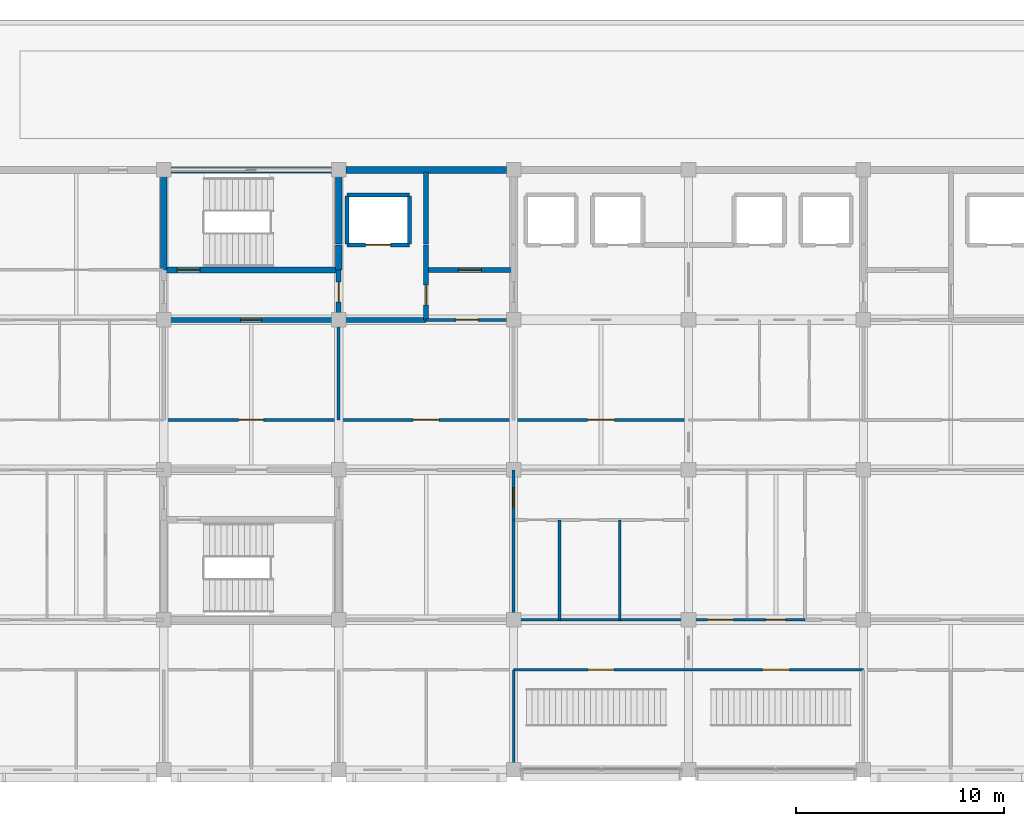
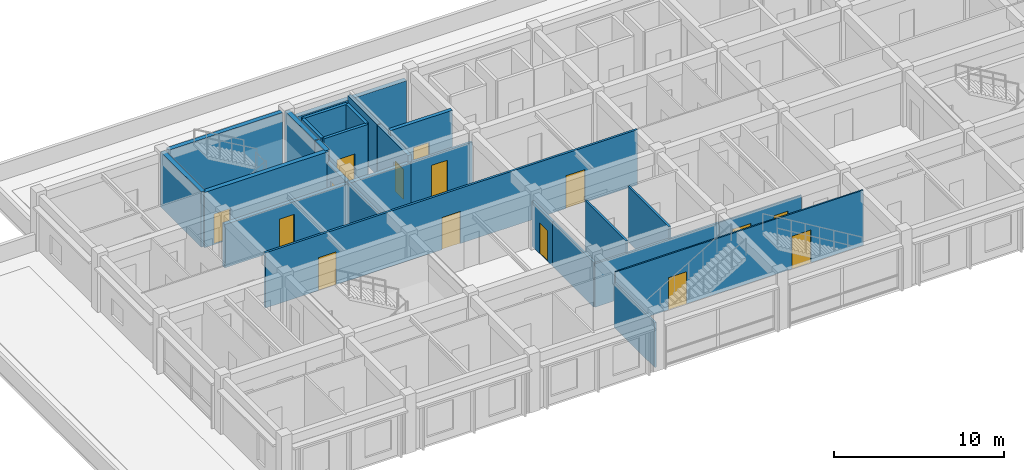
# One storey, part 11 of 19: 26 walls, 15 doors, 15 openings.
"""IFC4 building model written with IfcOpenShell, lengths in metres."""

from ifc_helpers import new_model, si_unit, direction, frame, frame_2d, origin, place, context, subcontext, project, spatial, rectangle, extrude, material, layer, layer_set, type_object, element, fill, save


model = new_model("IFC4")

# Units and contexts
model_context = context("Model", 3, precision=1e-05, world=origin(), true_north=direction((0.0, 1.0)))
body_context = subcontext(model_context, "Body", "Model", "MODEL_VIEW")
ifc_project = project(units=[si_unit("LENGTHUNIT", "METRE"), si_unit("AREAUNIT", "SQUARE_METRE"), si_unit("VOLUMEUNIT", "CUBIC_METRE"), si_unit("PLANEANGLEUNIT", "RADIAN"), si_unit("MASSUNIT", "GRAM", prefix="KILO")], contexts=[model_context])

# Site, building, storey
site_placement = place(None, origin())
site = spatial("IfcSite", under=ifc_project, at=site_placement, CompositionType="ELEMENT")
building_placement = place(site_placement, origin())
building = spatial("IfcBuilding", under=site, at=building_placement, Name="Chengyuan Square Courthouse", CompositionType="ELEMENT")
storey_placement = place(building_placement, frame((0.0, 0.0, 47.699951171875)))
storey = spatial("IfcBuildingStorey", under=building, at=storey_placement, Name="L11", CompositionType="ELEMENT", Elevation=47.699951171875)

# Wall
ifc_material_1 = material(Name="Concrete C40", Category="concrete")
ifc_layer_1 = layer(ifc_material_1, 0.320068359375)
ifc_layer_set_1 = layer_set([ifc_layer_1], Name="Concrete C40")
wall_type_1 = type_object("IfcWallType", Name="WL-EW3", PredefinedType="STANDARD", material=ifc_layer_set_1)
wall_1_placement = place(storey_placement, frame((67.544921875, 108.0, 0.0), z_axis=(0.0, 0.0, 1.0), x_axis=(1.0, 0.0, 0.0)))
element("IfcWall", 1, at=wall_1_placement, inside=storey, type_object=wall_type_1, Name="Exterior Wall WL-L11-E454", PredefinedType="STANDARD", context=body_context, shape_type="SweptSolid", body=[
    extrude(rectangle(XDim=7.7099609375, YDim=0.320068359375, at=frame_2d((3.85498046875, 0.0))), origin(), (0.0, 0.0, 1.0), 3.31005859375),
])

# Wall, opening, door
ifc_layer_2 = layer(ifc_material_1, 0.25)
ifc_layer_set_2 = layer_set([ifc_layer_2], Name="Concrete C40")
wall_type_2 = type_object("IfcWallType", Name="WL-FW1", PredefinedType="STANDARD", material=ifc_layer_set_2)
wall_2_placement = place(storey_placement, frame((58.800048828125, 100.800048828125, 0.0), z_axis=(0.0, 0.0, 1.0), x_axis=(1.0, 0.0, 0.0)))
wall_2 = element("IfcWall", 2, at=wall_2_placement, inside=storey, type_object=wall_type_2, Name="Interior Wall WL-L11-I3537", PredefinedType="STANDARD", context=body_context, shape_type="SweptSolid", body=[
    extrude(rectangle(XDim=12.599853515625, YDim=0.25, at=frame_2d((6.2998046875, 0.0))), origin(), (0.0, 0.0, 1.0), 3.110107421875),
])
opening_1_placement = place(wall_2_placement, frame((3.699951171875, 0.0, 0.0)))
opening_1 = element("IfcOpeningElement", 3, at=opening_1_placement, cuts=wall_2, Name="Opening DR-2915", PredefinedType="OPENING", context=body_context, shape_type="SweptSolid", body=[
    extrude(rectangle(XDim=1.0, YDim=2.199951171875, at=frame_2d((0.5, 1.10009765625))), frame((0.0, 0.136962890625, 0.0), z_axis=(0.0, -1.0, 0.0), x_axis=(1.0, 0.0, 0.0)), (0.0, 0.0, 1.0), 0.27392578125),
])
ifc_material_2 = material(Name="Steel Q235B Fire Door", Category="steel")
door_type_1 = type_object("IfcDoorType", Name="DT-11", OperationType="NOTDEFINED", PredefinedType="DOOR", material=ifc_material_2)
door_1_placement = place(opening_1_placement, origin())
door_1 = element("IfcDoor", 4, at=door_1_placement, inside=storey, type_object=door_type_1, Name="Interior Door DR-2915", OperationType="SINGLE_SWING_RIGHT", OverallHeight=2.199951171875, OverallWidth=1.0, PredefinedType="DOOR", context=body_context, shape_type="SweptSolid", body=[
    extrude(rectangle(XDim=1.0, YDim=2.199951171875, at=frame_2d((0.5, 1.10009765625))), frame((0.0, 0.02490234375, 0.0), z_axis=(0.0, -1.0, 0.0), x_axis=(1.0, 0.0, 0.0)), (0.0, 0.0, 1.0), 0.050048828125),
])
fill(opening_1, door_1)

wall_3_placement = place(storey_placement, frame((71.39990234375, 103.199951171875, 0.0), z_axis=(0.0, 0.0, 1.0), x_axis=(1.0, 0.0, 0.0)))
wall_3 = element("IfcWall", 5, at=wall_3_placement, inside=storey, type_object=wall_type_2, Name="Interior Wall WL-L11-I3545", PredefinedType="STANDARD", context=body_context, shape_type="SweptSolid", body=[
    extrude(rectangle(XDim=4.2001953125, YDim=0.25, at=frame_2d((2.10009765625, 0.0))), origin(), (0.0, 0.0, 1.0), 3.9599609375),
])
opening_2_placement = place(wall_3_placement, frame((1.550048828125, 0.0, 0.0)))
opening_2 = element("IfcOpeningElement", 6, at=opening_2_placement, cuts=wall_3, Name="Opening DR-2926", PredefinedType="OPENING", context=body_context, shape_type="SweptSolid", body=[
    extrude(rectangle(XDim=1.10009765625, YDim=2.199951171875, at=frame_2d((0.550048828125, 1.10009765625))), frame((0.0, 0.136962890625, 0.0), z_axis=(0.0, -1.0, 0.0), x_axis=(1.0, 0.0, 0.0)), (0.0, 0.0, 1.0), 0.27392578125),
])
door_type_2 = type_object("IfcDoorType", Name="DT-10", OperationType="NOTDEFINED", PredefinedType="DOOR", material=ifc_material_2)
door_2_placement = place(opening_2_placement, origin())
door_2 = element("IfcDoor", 7, at=door_2_placement, inside=storey, type_object=door_type_2, Name="Interior Door DR-2926", OperationType="SINGLE_SWING_LEFT", OverallHeight=2.199951171875, OverallWidth=1.10009765625, PredefinedType="DOOR", context=body_context, shape_type="SweptSolid", body=[
    extrude(rectangle(XDim=1.10009765625, YDim=2.199951171875, at=frame_2d((0.550048828125, 1.10009765625))), frame((0.0, 0.02490234375, 0.0), z_axis=(0.0, -1.0, 0.0), x_axis=(1.0, 0.0, 0.0)), (0.0, 0.0, 1.0), 0.050048828125),
])
fill(opening_2, door_2)

wall_4_placement = place(storey_placement, frame((67.199951171875, 100.800048828125, 0.0), z_axis=(0.0, 0.0, 1.0), x_axis=(0.0, 1.0, 0.0)))
wall_4 = element("IfcWall", 8, at=wall_4_placement, inside=storey, type_object=wall_type_2, Name="Interior Wall WL-L11-I3579", PredefinedType="STANDARD", context=body_context, shape_type="SweptSolid", body=[
    extrude(rectangle(XDim=2.39990234375, YDim=0.25, at=frame_2d((1.199951171875, 0.0))), origin(), (0.0, 0.0, 1.0), 3.2099609375),
])
opening_3_placement = place(wall_4_placement, frame((0.860107421875, 0.0, 0.0)))
opening_3 = element("IfcOpeningElement", 9, at=opening_3_placement, cuts=wall_4, Name="Opening DR-2913", PredefinedType="OPENING", context=body_context, shape_type="SweptSolid", body=[
    extrude(rectangle(XDim=0.949951171875, YDim=2.14990234375, at=frame_2d((0.47509765625, 1.074951171875))), frame((0.0, 0.136962890625, 0.0), z_axis=(0.0, -1.0, 0.0), x_axis=(1.0, 0.0, 0.0)), (0.0, 0.0, 1.0), 0.27392578125),
])
door_type_3 = type_object("IfcDoorType", Name="DT-12", OperationType="NOTDEFINED", PredefinedType="DOOR", material=ifc_material_2)
door_3_placement = place(opening_3_placement, origin())
door_3 = element("IfcDoor", 10, at=door_3_placement, inside=storey, type_object=door_type_3, Name="Interior Door DR-2913", OperationType="SINGLE_SWING_RIGHT", OverallHeight=2.14990234375, OverallWidth=0.949951171875, PredefinedType="DOOR", context=body_context, shape_type="SweptSolid", body=[
    extrude(rectangle(XDim=0.949951171875, YDim=2.14990234375, at=frame_2d((0.47509765625, 1.074951171875))), frame((0.0, 0.02490234375, 0.0), z_axis=(0.0, -1.0, 0.0), x_axis=(1.0, 0.0, 0.0)), (0.0, 0.0, 1.0), 0.050048828125),
])
fill(opening_3, door_3)

wall_5_placement = place(storey_placement, frame((71.39990234375, 100.800048828125, 0.0), z_axis=(0.0, 0.0, 1.0), x_axis=(0.0, 1.0, 0.0)))
wall_5 = element("IfcWall", 11, at=wall_5_placement, inside=storey, type_object=wall_type_2, Name="Interior Wall WL-L11-I3585", PredefinedType="STANDARD", context=body_context, shape_type="SweptSolid", body=[
    extrude(rectangle(XDim=3.599853515625, YDim=0.25, at=frame_2d((1.7998046875, 0.0))), origin(), (0.0, 0.0, 1.0), 3.610107421875),
])
opening_4_placement = place(wall_5_placement, frame((0.72509765625, 0.0, 0.0)))
opening_4 = element("IfcOpeningElement", 12, at=opening_4_placement, cuts=wall_5, Name="Opening DR-2925", PredefinedType="OPENING", context=body_context, shape_type="SweptSolid", body=[
    extrude(rectangle(XDim=0.949951171875, YDim=2.14990234375, at=frame_2d((0.47509765625, 1.074951171875))), frame((0.0, 0.136962890625, 0.0), z_axis=(0.0, -1.0, 0.0), x_axis=(1.0, 0.0, 0.0)), (0.0, 0.0, 1.0), 0.27392578125),
])
door_4_placement = place(opening_4_placement, origin())
door_4 = element("IfcDoor", 13, at=door_4_placement, inside=storey, type_object=door_type_3, Name="Interior Door DR-2925", OperationType="SINGLE_SWING_RIGHT", OverallHeight=2.14990234375, OverallWidth=0.949951171875, PredefinedType="DOOR", context=body_context, shape_type="SweptSolid", body=[
    extrude(rectangle(XDim=0.949951171875, YDim=2.14990234375, at=frame_2d((0.47509765625, 1.074951171875))), frame((0.0, 0.02490234375, 0.0), z_axis=(0.0, -1.0, 0.0), x_axis=(1.0, 0.0, 0.0)), (0.0, 0.0, 1.0), 0.050048828125),
])
fill(opening_4, door_4)

# Wall
wall_6_placement = place(storey_placement, frame((71.39990234375, 104.449951171875, 0.0), z_axis=(0.0, 0.0, 1.0), x_axis=(0.0, 1.0, 0.0)))
element("IfcWall", 14, at=wall_6_placement, inside=storey, type_object=wall_type_2, Name="Interior Wall WL-L11-I3586", PredefinedType="STANDARD", context=body_context, shape_type="SweptSolid", body=[
    extrude(rectangle(XDim=3.4599609375, YDim=0.25, at=frame_2d((1.72998046875, 0.0))), origin(), (0.0, 0.0, 1.0), 3.610107421875),
])

# Wall, openings, doors
ifc_material_3 = material(Name="Deliberation Room Sound-Insulated Partition")
ifc_layer_3 = layer(ifc_material_3, 0.14990234375)
ifc_layer_set_3 = layer_set([ifc_layer_3], Name="Deliberation Room Sound-Insulated Partition")
wall_type_3 = type_object("IfcWallType", Name="WL-PT3", PredefinedType="STANDARD", material=ifc_layer_set_3)
wall_7_placement = place(storey_placement, frame((58.800048828125, 96.0, 0.0), z_axis=(0.0, 0.0, 1.0), x_axis=(1.0, 0.0, 0.0)))
wall_7 = element("IfcWall", 15, at=wall_7_placement, inside=storey, type_object=wall_type_3, Name="Interior Wall WL-L11-I3532", PredefinedType="STANDARD", context=body_context, shape_type="SweptSolid", body=[
    extrude(rectangle(XDim=25.199951171875, YDim=0.14990234375, at=frame_2d((12.60009765625, 0.0))), origin(), (0.0, 0.0, 1.0), 3.9599609375),
])
opening_5_placement = place(wall_7_placement, frame((3.60009765625, 0.0, 0.0)))
opening_5 = element("IfcOpeningElement", 16, at=opening_5_placement, cuts=wall_7, Name="Opening DR-2956", PredefinedType="OPENING", context=body_context, shape_type="SweptSolid", body=[
    extrude(rectangle(XDim=1.199951171875, YDim=2.35009765625, at=frame_2d((0.60009765625, 1.175048828125))), frame((0.0, 0.0869140625, 0.0), z_axis=(0.0, -1.0, 0.0), x_axis=(1.0, 0.0, 0.0)), (0.0, 0.0, 1.0), 0.173828125),
])
opening_6_placement = place(wall_7_placement, frame((11.97998046875, 0.0, 0.0)))
opening_6 = element("IfcOpeningElement", 17, at=opening_6_placement, cuts=wall_7, Name="Opening DR-2957", PredefinedType="OPENING", context=body_context, shape_type="SweptSolid", body=[
    extrude(rectangle(XDim=1.239990234375, YDim=2.300048828125, at=frame_2d((0.6201171875, 1.14990234375))), frame((0.0, 0.0869140625, 0.0), z_axis=(0.0, -1.0, 0.0), x_axis=(1.0, 0.0, 0.0)), (0.0, 0.0, 1.0), 0.173828125),
])
opening_7_placement = place(wall_7_placement, frame((20.360107421875, 0.0, 0.0)))
opening_7 = element("IfcOpeningElement", 18, at=opening_7_placement, cuts=wall_7, Name="Opening DR-2958", PredefinedType="OPENING", context=body_context, shape_type="SweptSolid", body=[
    extrude(rectangle(XDim=1.280029296875, YDim=2.35009765625, at=frame_2d((0.64013671875, 1.175048828125))), frame((0.0, 0.0869140625, 0.0), z_axis=(0.0, -1.0, 0.0), x_axis=(1.0, 0.0, 0.0)), (0.0, 0.0, 1.0), 0.173828125),
])
ifc_material_4 = material(Name="Acoustic Solid-Core Timber Door", Category="wood")
door_type_4 = type_object("IfcDoorType", Name="DT-36", OperationType="NOTDEFINED", PredefinedType="DOOR", material=ifc_material_4)
door_5_placement = place(opening_5_placement, origin())
door_5 = element("IfcDoor", 19, at=door_5_placement, inside=storey, type_object=door_type_4, Name="Interior Door DR-2956", OperationType="SINGLE_SWING_LEFT", OverallHeight=2.35009765625, OverallWidth=1.199951171875, PredefinedType="DOOR", context=body_context, shape_type="SweptSolid", body=[
    extrude(rectangle(XDim=1.199951171875, YDim=2.35009765625, at=frame_2d((0.60009765625, 1.175048828125))), frame((0.0, 0.02490234375, 0.0), z_axis=(0.0, -1.0, 0.0), x_axis=(1.0, 0.0, 0.0)), (0.0, 0.0, 1.0), 0.050048828125),
])
fill(opening_5, door_5)
door_type_5 = type_object("IfcDoorType", Name="DT-37", OperationType="NOTDEFINED", PredefinedType="DOOR", material=ifc_material_4)
door_6_placement = place(opening_6_placement, origin())
door_6 = element("IfcDoor", 20, at=door_6_placement, inside=storey, type_object=door_type_5, Name="Interior Door DR-2957", OperationType="SINGLE_SWING_RIGHT", OverallHeight=2.300048828125, OverallWidth=1.239990234375, PredefinedType="DOOR", context=body_context, shape_type="SweptSolid", body=[
    extrude(rectangle(XDim=1.239990234375, YDim=2.300048828125, at=frame_2d((0.6201171875, 1.14990234375))), frame((0.0, 0.02490234375, 0.0), z_axis=(0.0, -1.0, 0.0), x_axis=(1.0, 0.0, 0.0)), (0.0, 0.0, 1.0), 0.050048828125),
])
fill(opening_6, door_6)
door_type_6 = type_object("IfcDoorType", Name="DT-38", OperationType="NOTDEFINED", PredefinedType="DOOR", material=ifc_material_4)
door_7_placement = place(opening_7_placement, origin())
door_7 = element("IfcDoor", 21, at=door_7_placement, inside=storey, type_object=door_type_6, Name="Interior Door DR-2958", OperationType="SINGLE_SWING_LEFT", OverallHeight=2.35009765625, OverallWidth=1.280029296875, PredefinedType="DOOR", context=body_context, shape_type="SweptSolid", body=[
    extrude(rectangle(XDim=1.280029296875, YDim=2.35009765625, at=frame_2d((0.64013671875, 1.175048828125))), frame((0.0, 0.02490234375, 0.0), z_axis=(0.0, -1.0, 0.0), x_axis=(1.0, 0.0, 0.0)), (0.0, 0.0, 1.0), 0.050048828125),
])
fill(opening_7, door_7)

# Wall, opening, door
wall_8_placement = place(storey_placement, frame((71.39990234375, 100.800048828125, 0.0), z_axis=(0.0, 0.0, 1.0), x_axis=(1.0, 0.0, 0.0)))
wall_8 = element("IfcWall", 22, at=wall_8_placement, inside=storey, type_object=wall_type_3, Name="Interior Wall WL-L11-I3538", PredefinedType="STANDARD", context=body_context, shape_type="SweptSolid", body=[
    extrude(rectangle(XDim=4.2001953125, YDim=0.14990234375, at=frame_2d((2.10009765625, 0.0))), origin(), (0.0, 0.0, 1.0), 3.110107421875),
])
opening_8_placement = place(wall_8_placement, frame((1.43505859375, 0.0, 0.0)))
opening_8 = element("IfcOpeningElement", 23, at=opening_8_placement, cuts=wall_8, Name="Opening DR-2928", PredefinedType="OPENING", context=body_context, shape_type="SweptSolid", body=[
    extrude(rectangle(XDim=1.06005859375, YDim=2.39990234375, at=frame_2d((0.530029296875, 1.199951171875))), frame((0.0, 0.0869140625, 0.0), z_axis=(0.0, -1.0, 0.0), x_axis=(1.0, 0.0, 0.0)), (0.0, 0.0, 1.0), 0.173828125),
])
door_type_7 = type_object("IfcDoorType", Name="DT-42", OperationType="NOTDEFINED", PredefinedType="DOOR", material=ifc_material_4)
door_8_placement = place(opening_8_placement, origin())
door_8 = element("IfcDoor", 24, at=door_8_placement, inside=storey, type_object=door_type_7, Name="Interior Door DR-2928", OperationType="SINGLE_SWING_LEFT", OverallHeight=2.39990234375, OverallWidth=1.06005859375, PredefinedType="DOOR", context=body_context, shape_type="SweptSolid", body=[
    extrude(rectangle(XDim=1.06005859375, YDim=2.39990234375, at=frame_2d((0.530029296875, 1.199951171875))), frame((0.0, 0.02490234375, 0.0), z_axis=(0.0, -1.0, 0.0), x_axis=(1.0, 0.0, 0.0)), (0.0, 0.0, 1.0), 0.050048828125),
])
fill(opening_8, door_8)

# Wall
wall_9_placement = place(storey_placement, frame((67.199951171875, 96.0, 0.0), z_axis=(0.0, 0.0, 1.0), x_axis=(0.0, 1.0, 0.0)))
element("IfcWall", 25, at=wall_9_placement, inside=storey, type_object=wall_type_3, Name="Interior Wall WL-L11-I3578", PredefinedType="STANDARD", context=body_context, shape_type="SweptSolid", body=[
    extrude(rectangle(XDim=4.800048828125, YDim=0.14990234375, at=frame_2d((2.39990234375, 0.0))), origin(), (0.0, 0.0, 1.0), 3.2099609375),
])

# Wall, opening, door
wall_10_placement = place(storey_placement, frame((75.60009765625, 91.199951171875, 0.0), z_axis=(0.0, 0.0, 1.0), x_axis=(0.0, 1.0, 0.0)))
wall_10 = element("IfcWall", 26, at=wall_10_placement, inside=storey, type_object=wall_type_3, Name="Interior Wall WL-L11-I3589", PredefinedType="STANDARD", context=body_context, shape_type="SweptSolid", body=[
    extrude(rectangle(XDim=2.400146484375, YDim=0.14990234375, at=frame_2d((1.2001953125, 0.0))), origin(), (0.0, 0.0, 1.0), 3.2099609375),
])
opening_9_placement = place(wall_10_placement, frame((0.5849609375, 0.0, 0.0)))
opening_9 = element("IfcOpeningElement", 27, at=opening_9_placement, cuts=wall_10, Name="Opening DR-2950", PredefinedType="OPENING", context=body_context, shape_type="SweptSolid", body=[
    extrude(rectangle(XDim=0.9599609375, YDim=2.199951171875, at=frame_2d((0.47998046875, 1.10009765625))), frame((0.0, 0.0869140625, 0.0), z_axis=(0.0, -1.0, 0.0), x_axis=(1.0, 0.0, 0.0)), (0.0, 0.0, 1.0), 0.173828125),
])
door_type_8 = type_object("IfcDoorType", Name="DT-30", OperationType="NOTDEFINED", PredefinedType="DOOR", material=ifc_material_4)
door_9_placement = place(opening_9_placement, origin())
door_9 = element("IfcDoor", 28, at=door_9_placement, inside=storey, type_object=door_type_8, Name="Interior Door DR-2950", OperationType="SINGLE_SWING_LEFT", OverallHeight=2.199951171875, OverallWidth=0.9599609375, PredefinedType="DOOR", context=body_context, shape_type="SweptSolid", body=[
    extrude(rectangle(XDim=0.9599609375, YDim=2.199951171875, at=frame_2d((0.47998046875, 1.10009765625))), frame((0.0, 0.02490234375, 0.0), z_axis=(0.0, -1.0, 0.0), x_axis=(1.0, 0.0, 0.0)), (0.0, 0.0, 1.0), 0.050048828125),
])
fill(opening_9, door_9)

# Walls
ifc_material_5 = material(Name="Moisture-Resistant Masonry Wet-Room Partition", Category="masonry")
ifc_layer_4 = layer(ifc_material_5, 0.139892578125)
ifc_layer_set_4 = layer_set([ifc_layer_4], Name="Moisture-Resistant Masonry Wet-Room Partition")
wall_type_4 = type_object("IfcWallType", Name="WL-PT4", PredefinedType="STANDARD", material=ifc_layer_set_4)
wall_11_placement = place(storey_placement, frame((75.60009765625, 86.39990234375, 0.0), z_axis=(0.0, 0.0, 1.0), x_axis=(1.0, 0.0, 0.0)))
element("IfcWall", 29, at=wall_11_placement, inside=storey, type_object=wall_type_4, Name="Interior Wall WL-L11-I3513", PredefinedType="STANDARD", context=body_context, shape_type="SweptSolid", body=[
    extrude(rectangle(XDim=8.39990234375, YDim=0.139892578125, at=frame_2d((4.199951171875, 0.0))), origin(), (0.0, 0.0, 1.0), 3.110107421875),
])
wall_12_placement = place(storey_placement, frame((75.60009765625, 86.39990234375, 0.0), z_axis=(0.0, 0.0, 1.0), x_axis=(0.0, 1.0, 0.0)))
element("IfcWall", 30, at=wall_12_placement, inside=storey, type_object=wall_type_4, Name="Interior Wall WL-L11-I3588", PredefinedType="STANDARD", context=body_context, shape_type="SweptSolid", body=[
    extrude(rectangle(XDim=4.800048828125, YDim=0.139892578125, at=frame_2d((2.39990234375, 0.0))), origin(), (0.0, 0.0, 1.0), 3.2099609375),
])
for number, where, z_axis, x_axis, name in (
    (31, (77.800048828125, 86.39990234375, 0.0), (0.0, 0.0, 1.0), (0.0, 1.0, 0.0), "Interior Wall WL-L11-I3594"),
    (32, (80.699951171875, 86.39990234375, 0.0), (0.0, 0.0, 1.0), (0.0, 1.0, 0.0), "Interior Wall WL-L11-I3597"),
):
    element("IfcWall", number, at=place(storey_placement, frame(where, z_axis=z_axis, x_axis=x_axis)), inside=storey, type_object=wall_type_4, Name=name, PredefinedType="STANDARD", context=body_context, shape_type="SweptSolid", body=[
        extrude(rectangle(XDim=4.800048828125, YDim=0.139892578125, at=frame_2d((2.39990234375, 0.0))), origin(), (0.0, 0.0, 1.0), 3.9599609375),
    ])
ifc_material_6 = material(Name="Judges Chambers Gypsum Stud Partition")
ifc_layer_5 = layer(ifc_material_6, 0.1201171875)
ifc_layer_set_5 = layer_set([ifc_layer_5], Name="Judges Chambers Gypsum Stud Partition")
wall_type_5 = type_object("IfcWallType", Name="WL-PT5", PredefinedType="STANDARD", material=ifc_layer_set_5)
wall_13_placement = place(storey_placement, frame((75.60009765625, 79.239990234375, 0.0), z_axis=(0.0, 0.0, 1.0), x_axis=(0.0, 1.0, 0.0)))
element("IfcWall", 33, at=wall_13_placement, inside=storey, type_object=wall_type_5, Name="Interior Wall WL-L11-I3587", PredefinedType="STANDARD", context=body_context, shape_type="SweptSolid", body=[
    extrude(rectangle(XDim=4.760009765625, YDim=0.1201171875, at=frame_2d((2.3798828125, 0.0))), origin(), (0.0, 0.0, 1.0), 3.2099609375),
])

# Wall, openings, doors
ifc_material_7 = material(Name="Gypsum Plasterboard Acoustic Stud Partition")
ifc_layer_6 = layer(ifc_material_7, 0.10009765625)
ifc_layer_set_6 = layer_set([ifc_layer_6], Name="Gypsum Plasterboard Acoustic Stud Partition")
wall_type_6 = type_object("IfcWallType", Name="WL-PT6", PredefinedType="STANDARD", material=ifc_layer_set_6)
wall_14_placement = place(storey_placement, frame((75.60009765625, 84.0, 0.0), z_axis=(0.0, 0.0, 1.0), x_axis=(1.0, 0.0, 0.0)))
wall_14 = element("IfcWall", 34, at=wall_14_placement, inside=storey, type_object=wall_type_6, Name="Interior Wall WL-L11-I3507", PredefinedType="STANDARD", context=body_context, shape_type="SweptSolid", body=[
    extrude(rectangle(XDim=16.7998046875, YDim=0.10009765625, at=frame_2d((8.39990234375, 0.0))), origin(), (0.0, 0.0, 1.0), 3.9599609375),
])
opening_10_placement = place(wall_14_placement, frame((3.580078125, 0.0, 0.0)))
opening_10 = element("IfcOpeningElement", 35, at=opening_10_placement, cuts=wall_14, Name="Opening DR-3008", PredefinedType="OPENING", context=body_context, shape_type="SweptSolid", body=[
    extrude(rectangle(XDim=1.239990234375, YDim=2.300048828125, at=frame_2d((0.6201171875, 1.14990234375))), frame((0.0, 0.06201171875, 0.0), z_axis=(0.0, -1.0, 0.0), x_axis=(1.0, 0.0, 0.0)), (0.0, 0.0, 1.0), 0.1240234375),
])
opening_11_placement = place(wall_14_placement, frame((11.9599609375, 0.0, 0.0)))
opening_11 = element("IfcOpeningElement", 36, at=opening_11_placement, cuts=wall_14, Name="Opening DR-3009", PredefinedType="OPENING", context=body_context, shape_type="SweptSolid", body=[
    extrude(rectangle(XDim=1.280029296875, YDim=2.35009765625, at=frame_2d((0.64013671875, 1.175048828125))), frame((0.0, 0.06201171875, 0.0), z_axis=(0.0, -1.0, 0.0), x_axis=(1.0, 0.0, 0.0)), (0.0, 0.0, 1.0), 0.1240234375),
])
door_10_placement = place(opening_10_placement, origin())
door_10 = element("IfcDoor", 37, at=door_10_placement, inside=storey, type_object=door_type_5, Name="Interior Door DR-3008", OperationType="SINGLE_SWING_LEFT", OverallHeight=2.300048828125, OverallWidth=1.239990234375, PredefinedType="DOOR", context=body_context, shape_type="SweptSolid", body=[
    extrude(rectangle(XDim=1.239990234375, YDim=2.300048828125, at=frame_2d((0.6201171875, 1.14990234375))), frame((0.0, 0.02490234375, 0.0), z_axis=(0.0, -1.0, 0.0), x_axis=(1.0, 0.0, 0.0)), (0.0, 0.0, 1.0), 0.050048828125),
])
fill(opening_10, door_10)
door_11_placement = place(opening_11_placement, origin())
door_11 = element("IfcDoor", 38, at=door_11_placement, inside=storey, type_object=door_type_6, Name="Interior Door DR-3009", OperationType="SINGLE_SWING_RIGHT", OverallHeight=2.35009765625, OverallWidth=1.280029296875, PredefinedType="DOOR", context=body_context, shape_type="SweptSolid", body=[
    extrude(rectangle(XDim=1.280029296875, YDim=2.35009765625, at=frame_2d((0.64013671875, 1.175048828125))), frame((0.0, 0.02490234375, 0.0), z_axis=(0.0, -1.0, 0.0), x_axis=(1.0, 0.0, 0.0)), (0.0, 0.0, 1.0), 0.050048828125),
])
fill(opening_11, door_11)

wall_15_placement = place(storey_placement, frame((84.0, 86.39990234375, 0.0), z_axis=(0.0, 0.0, 1.0), x_axis=(1.0, 0.0, 0.0)))
wall_15 = element("IfcWall", 39, at=wall_15_placement, inside=storey, type_object=wall_type_6, Name="Interior Wall WL-L11-I3514", PredefinedType="STANDARD", context=body_context, shape_type="SweptSolid", body=[
    extrude(rectangle(XDim=5.60009765625, YDim=0.10009765625, at=frame_2d((2.800048828125, 0.0))), origin(), (0.0, 0.0, 1.0), 3.110107421875),
])
opening_12_placement = place(wall_15_placement, frame((0.9150390625, 0.0, 0.0)))
opening_12 = element("IfcOpeningElement", 40, at=opening_12_placement, cuts=wall_15, Name="Opening DR-2991", PredefinedType="OPENING", context=body_context, shape_type="SweptSolid", body=[
    extrude(rectangle(XDim=1.239990234375, YDim=2.300048828125, at=frame_2d((0.6201171875, 1.14990234375))), frame((0.0, 0.06201171875, 0.0), z_axis=(0.0, -1.0, 0.0), x_axis=(1.0, 0.0, 0.0)), (0.0, 0.0, 1.0), 0.1240234375),
])
opening_13_placement = place(wall_15_placement, frame((3.72998046875, 0.0, 0.0)))
opening_13 = element("IfcOpeningElement", 41, at=opening_13_placement, cuts=wall_15, Name="Opening DR-2993", PredefinedType="OPENING", context=body_context, shape_type="SweptSolid", body=[
    extrude(rectangle(XDim=0.93994140625, YDim=2.300048828125, at=frame_2d((0.469970703125, 1.14990234375))), frame((0.0, 0.06201171875, 0.0), z_axis=(0.0, -1.0, 0.0), x_axis=(1.0, 0.0, 0.0)), (0.0, 0.0, 1.0), 0.1240234375),
])
door_12_placement = place(opening_12_placement, origin())
door_12 = element("IfcDoor", 42, at=door_12_placement, inside=storey, type_object=door_type_5, Name="Interior Door DR-2991", OperationType="SINGLE_SWING_RIGHT", OverallHeight=2.300048828125, OverallWidth=1.239990234375, PredefinedType="DOOR", context=body_context, shape_type="SweptSolid", body=[
    extrude(rectangle(XDim=1.239990234375, YDim=2.300048828125, at=frame_2d((0.6201171875, 1.14990234375))), frame((0.0, 0.02490234375, 0.0), z_axis=(0.0, -1.0, 0.0), x_axis=(1.0, 0.0, 0.0)), (0.0, 0.0, 1.0), 0.050048828125),
])
fill(opening_12, door_12)
door_type_9 = type_object("IfcDoorType", Name="DT-39", OperationType="NOTDEFINED", PredefinedType="DOOR", material=ifc_material_4)
door_13_placement = place(opening_13_placement, origin())
door_13 = element("IfcDoor", 43, at=door_13_placement, inside=storey, type_object=door_type_9, Name="Interior Door DR-2993", OperationType="SINGLE_SWING_RIGHT", OverallHeight=2.300048828125, OverallWidth=0.93994140625, PredefinedType="DOOR", context=body_context, shape_type="SweptSolid", body=[
    extrude(rectangle(XDim=0.93994140625, YDim=2.300048828125, at=frame_2d((0.469970703125, 1.14990234375))), frame((0.0, 0.02490234375, 0.0), z_axis=(0.0, -1.0, 0.0), x_axis=(1.0, 0.0, 0.0)), (0.0, 0.0, 1.0), 0.050048828125),
])
fill(opening_13, door_13)

# Wall, opening, door
ifc_material_8 = material(Name="Reinforced Masonry Shaft Enclosure", Category="masonry")
ifc_layer_7 = layer(ifc_material_8, 0.199951171875)
ifc_layer_set_7 = layer_set([ifc_layer_7], Name="Reinforced Masonry Shaft Enclosure")
wall_type_7 = type_object("IfcWallType", Name="WL-SH1", PredefinedType="STANDARD", material=ifc_layer_set_7)
wall_16_placement = place(storey_placement, frame((67.60009765625, 104.39990234375, 0.0), z_axis=(0.0, 0.0, 1.0), x_axis=(1.0, 0.0, 0.0)))
wall_16 = element("IfcWall", 44, at=wall_16_placement, inside=storey, type_object=wall_type_7, Name="Interior Wall WL-L11-I3549", PredefinedType="STANDARD", context=body_context, shape_type="SweptSolid", body=[
    extrude(rectangle(XDim=3.0, YDim=0.199951171875, at=frame_2d((1.5, 0.0))), origin(), (0.0, 0.0, 1.0), 3.9599609375),
])
opening_14_placement = place(wall_16_placement, frame((0.89990234375, 0.0, 0.0)))
opening_14 = element("IfcOpeningElement", 45, at=opening_14_placement, cuts=wall_16, Name="Opening LD-181", PredefinedType="OPENING", context=body_context, shape_type="SweptSolid", body=[
    extrude(rectangle(XDim=1.199951171875, YDim=2.14990234375, at=frame_2d((0.60009765625, 1.074951171875))), frame((0.0, 0.112060546875, 0.0), z_axis=(0.0, -1.0, 0.0), x_axis=(1.0, 0.0, 0.0)), (0.0, 0.0, 1.0), 0.223876953125),
])
ifc_material_9 = material(Name="Stainless Steel S30408 Lift Landing Door", Category="steel")
door_type_10 = type_object("IfcDoorType", Name="DT-05", OperationType="DOUBLE_DOOR_SLIDING", PredefinedType="DOOR", material=ifc_material_9)
door_14_placement = place(opening_14_placement, origin())
door_14 = element("IfcDoor", 46, at=door_14_placement, inside=storey, type_object=door_type_10, Name="Lift Landing Door LF-F1 L11", OperationType="DOUBLE_DOOR_SLIDING", OverallHeight=2.14990234375, OverallWidth=1.199951171875, PredefinedType="DOOR", context=body_context, shape_type="SweptSolid", body=[
    extrude(rectangle(XDim=1.199951171875, YDim=2.14990234375, at=frame_2d((0.60009765625, 1.074951171875))), frame((0.0, 0.02490234375, 0.0), z_axis=(0.0, -1.0, 0.0), x_axis=(1.0, 0.0, 0.0)), (0.0, 0.0, 1.0), 0.050048828125),
])
fill(opening_14, door_14)

# Walls
wall_17_placement = place(storey_placement, frame((67.60009765625, 106.800048828125, 0.0), z_axis=(0.0, 0.0, 1.0), x_axis=(1.0, 0.0, 0.0)))
element("IfcWall", 47, at=wall_17_placement, inside=storey, type_object=wall_type_7, Name="Interior Wall WL-L11-I3557", PredefinedType="STANDARD", context=body_context, shape_type="SweptSolid", body=[
    extrude(rectangle(XDim=3.0, YDim=0.199951171875, at=frame_2d((1.5, 0.0))), origin(), (0.0, 0.0, 1.0), 3.9599609375),
])
for number, where, z_axis, x_axis, name in (
    (48, (67.60009765625, 104.449951171875, 0.0), (0.0, 0.0, 1.0), (0.0, 1.0, 0.0), "Interior Wall WL-L11-I3582"),
    (49, (70.60009765625, 104.449951171875, 0.0), (0.0, 0.0, 1.0), (0.0, 1.0, 0.0), "Interior Wall WL-L11-I3583"),
):
    element("IfcWall", number, at=place(storey_placement, frame(where, z_axis=z_axis, x_axis=x_axis)), inside=storey, type_object=wall_type_7, Name=name, PredefinedType="STANDARD", context=body_context, shape_type="SweptSolid", body=[
        extrude(rectangle(XDim=2.300048828125, YDim=0.199951171875, at=frame_2d((1.14990234375, 0.0))), origin(), (0.0, 0.0, 1.0), 3.9599609375),
    ])
ifc_layer_8 = layer(ifc_material_1, 0.300048828125)
ifc_layer_set_8 = layer_set([ifc_layer_8], Name="Concrete C40")
wall_type_8 = type_object("IfcWallType", Name="WL-SW2", PredefinedType="SHEAR", material=ifc_layer_set_8)
wall_18_placement = place(storey_placement, frame((59.14501953125, 108.0, 0.0), z_axis=(0.0, 0.0, 1.0), x_axis=(1.0, 0.0, 0.0)))
element("IfcWall", 50, at=wall_18_placement, inside=storey, type_object=wall_type_8, Name="Exterior Wall WL-L11-E452", PredefinedType="SHEAR", context=body_context, shape_type="SweptSolid", body=[
    extrude(rectangle(XDim=7.7099609375, YDim=0.300048828125, at=frame_2d((3.85498046875, 0.0))), origin(), (0.0, 0.0, 1.0), 3.9599609375),
])

# Wall, opening, door
wall_19_placement = place(storey_placement, frame((58.800048828125, 103.199951171875, 0.0), z_axis=(0.0, 0.0, 1.0), x_axis=(1.0, 0.0, 0.0)))
wall_19 = element("IfcWall", 51, at=wall_19_placement, inside=storey, type_object=wall_type_8, Name="Interior Wall WL-L11-I3544", PredefinedType="SHEAR", context=body_context, shape_type="SweptSolid", body=[
    extrude(rectangle(XDim=8.39990234375, YDim=0.300048828125, at=frame_2d((4.199951171875, 0.0))), origin(), (0.0, 0.0, 1.0), 3.9599609375),
])
opening_15_placement = place(wall_19_placement, frame((0.64990234375, 0.0, 0.0)))
opening_15 = element("IfcOpeningElement", 52, at=opening_15_placement, cuts=wall_19, Name="Opening DR-2909", PredefinedType="OPENING", context=body_context, shape_type="SweptSolid", body=[
    extrude(rectangle(XDim=1.10009765625, YDim=2.199951171875, at=frame_2d((0.550048828125, 1.10009765625))), frame((0.0, 0.162109375, 0.0), z_axis=(0.0, -1.0, 0.0), x_axis=(1.0, 0.0, 0.0)), (0.0, 0.0, 1.0), 0.323974609375),
])
door_15_placement = place(opening_15_placement, origin())
door_15 = element("IfcDoor", 53, at=door_15_placement, inside=storey, type_object=door_type_2, Name="Smoke-Proof Stairwell Fire Door ST-1 DR-2909", OperationType="SINGLE_SWING_RIGHT", OverallHeight=2.199951171875, OverallWidth=1.10009765625, PredefinedType="DOOR", context=body_context, shape_type="SweptSolid", body=[
    extrude(rectangle(XDim=1.10009765625, YDim=2.199951171875, at=frame_2d((0.550048828125, 1.10009765625))), frame((0.0, 0.02490234375, 0.0), z_axis=(0.0, -1.0, 0.0), x_axis=(1.0, 0.0, 0.0)), (0.0, 0.0, 1.0), 0.050048828125),
])
fill(opening_15, door_15)

# Walls
wall_20_placement = place(storey_placement, frame((58.800048828125, 103.199951171875, 0.0), z_axis=(0.0, 0.0, 1.0), x_axis=(0.0, 1.0, 0.0)))
element("IfcWall", 54, at=wall_20_placement, inside=storey, type_object=wall_type_8, Name="Interior Wall WL-L11-I3573", PredefinedType="SHEAR", context=body_context, shape_type="SweptSolid", body=[
    extrude(rectangle(XDim=4.760009765625, YDim=0.300048828125, at=frame_2d((2.3798828125, 0.0))), origin(), (0.0, 0.0, 1.0), 3.9599609375),
])
wall_21_placement = place(storey_placement, frame((67.199951171875, 103.199951171875, 0.0), z_axis=(0.0, 0.0, 1.0), x_axis=(0.0, 1.0, 0.0)))
element("IfcWall", 55, at=wall_21_placement, inside=storey, type_object=wall_type_8, Name="Interior Wall WL-L11-I3580", PredefinedType="SHEAR", context=body_context, shape_type="SweptSolid", body=[
    extrude(rectangle(XDim=1.199951171875, YDim=0.300048828125, at=frame_2d((0.60009765625, 0.0))), origin(), (0.0, 0.0, 1.0), 3.9599609375),
])
wall_22_placement = place(storey_placement, frame((67.199951171875, 104.449951171875, 0.0), z_axis=(0.0, 0.0, 1.0), x_axis=(0.0, 1.0, 0.0)))
element("IfcWall", 56, at=wall_22_placement, inside=storey, type_object=wall_type_8, Name="Interior Wall WL-L11-I3581", PredefinedType="SHEAR", context=body_context, shape_type="SweptSolid", body=[
    extrude(rectangle(XDim=3.4599609375, YDim=0.300048828125, at=frame_2d((1.72998046875, 0.0))), origin(), (0.0, 0.0, 1.0), 3.9599609375),
])

save(model, "model.ifc")
